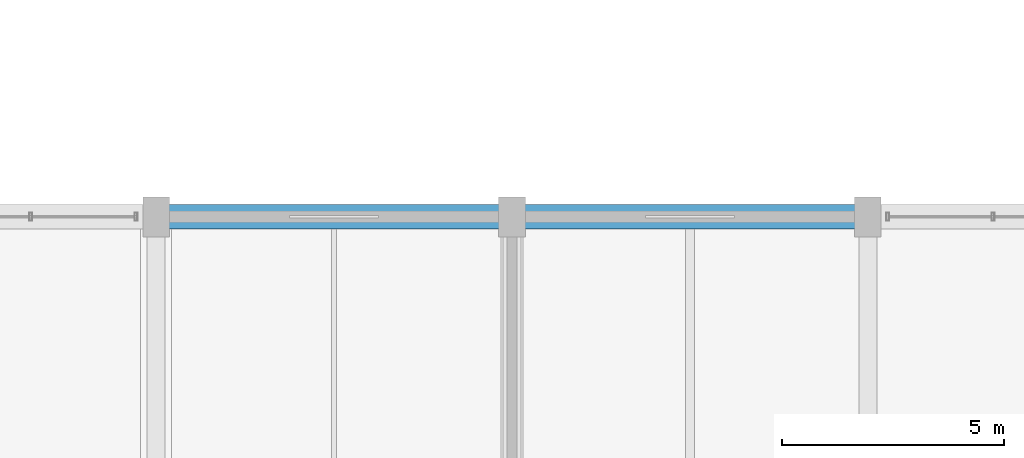
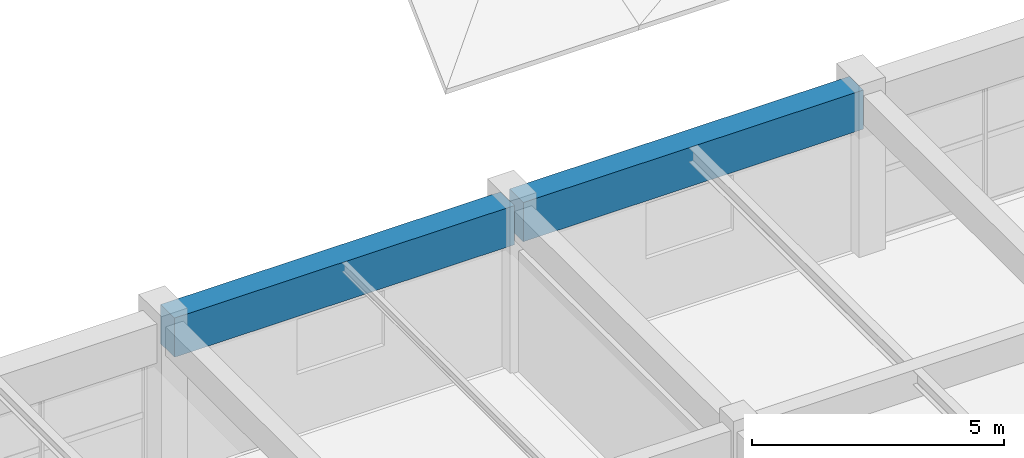
# One storey, part 6 of 63: 2 beams.
"""IFC4 building model written with IfcOpenShell, lengths in metres."""

from ifc_helpers import new_model, si_unit, direction, frame, origin, origin_2d, place, context, subcontext, project, spatial, rectangle, extrude, material, material_profile, profile_set, type_object, element, save


model = new_model("IFC4")

# Units and contexts
model_context = context("Model", 3, precision=1e-05, world=origin(), true_north=direction((0.0, 1.0)))
body_context = subcontext(model_context, "Body", "Model", "MODEL_VIEW")
ifc_project = project(units=[si_unit("LENGTHUNIT", "METRE"), si_unit("AREAUNIT", "SQUARE_METRE"), si_unit("VOLUMEUNIT", "CUBIC_METRE"), si_unit("PLANEANGLEUNIT", "RADIAN"), si_unit("MASSUNIT", "GRAM", prefix="KILO")], contexts=[model_context])

# Site, building, storey
site_placement = place(None, origin())
site = spatial("IfcSite", under=ifc_project, at=site_placement, CompositionType="ELEMENT")
building_placement = place(site_placement, origin())
building = spatial("IfcBuilding", under=site, at=building_placement, Name="Varnabhumi Central Station", CompositionType="ELEMENT")
storey_placement = place(building_placement, frame((0.0, 0.0, 20.39990234375)))
storey = spatial("IfcBuildingStorey", under=building, at=storey_placement, Name="L04", CompositionType="ELEMENT", Elevation=20.39990234375)

# Beams
ifc_material = material(Name="Concrete M40", Category="concrete")
ifc_material_profile = material_profile(ifc_material, rectangle(XDim=0.550048828125, YDim=0.949951171875, at=origin_2d()), Name="Concrete M40", Category="concrete")
ifc_profile_set = profile_set([ifc_material_profile], Name="Concrete M40")
beam_type = type_object("IfcBeamType", Name="BM-RC-550x950", PredefinedType="BEAM", material=ifc_profile_set)
for number, where, z_axis, x_axis, name in (
    (1, (64.10009765625, 36.0, 3.445068359375), (1.0, 0.0, 0.0), (0.0, 1.0, 0.0), "Beam L04-E:9-10"),
    (2, (72.10009765625, 36.0, 3.445068359375), (1.0, 0.0, 0.0), (0.0, 1.0, 0.0), "Beam L04-E:10-11"),
):
    element("IfcBeam", number, at=place(storey_placement, frame(where, z_axis=z_axis, x_axis=x_axis)), inside=storey, type_object=beam_type, Name=name, PredefinedType="BEAM", context=body_context, shape_type="SweptSolid", body=[
        extrude(rectangle(XDim=0.550048828125, YDim=0.949951171875, at=origin_2d()), origin(), (0.0, 0.0, 1.0), 7.7998046875),
    ])

save(model, "model.ifc")
